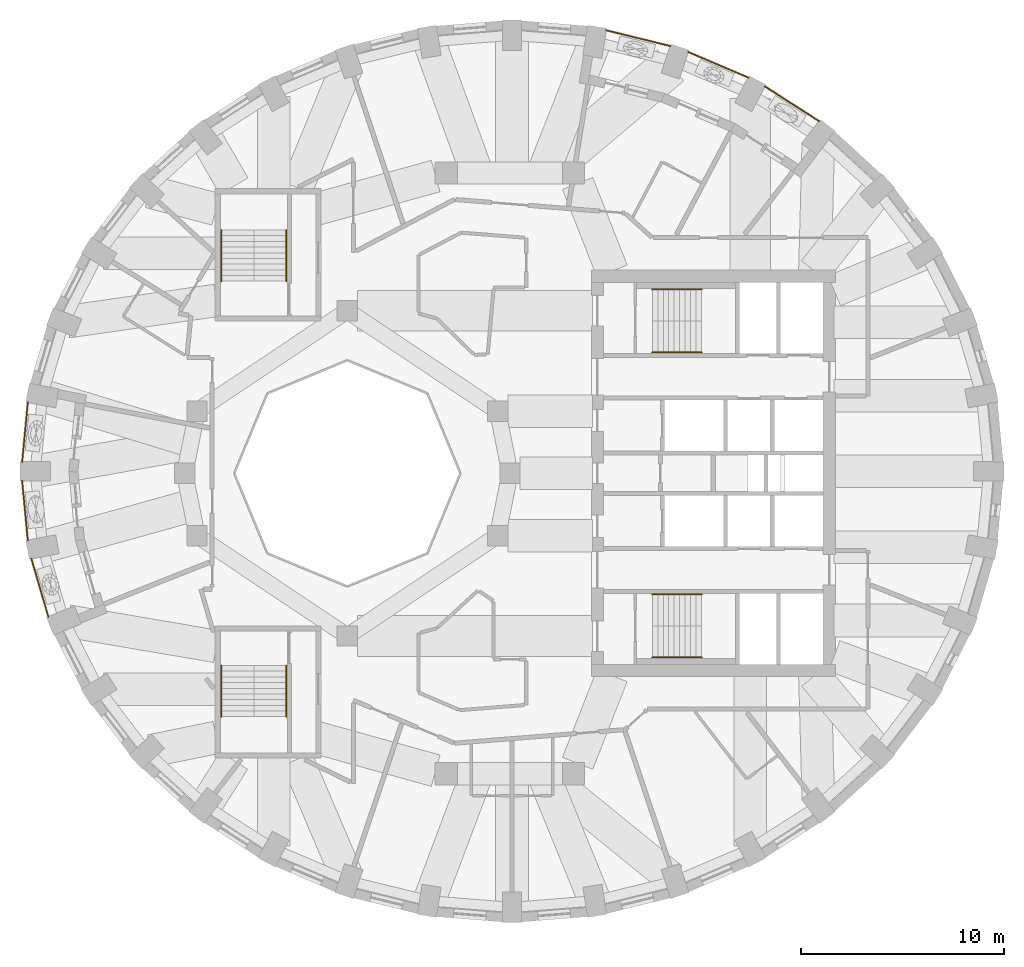
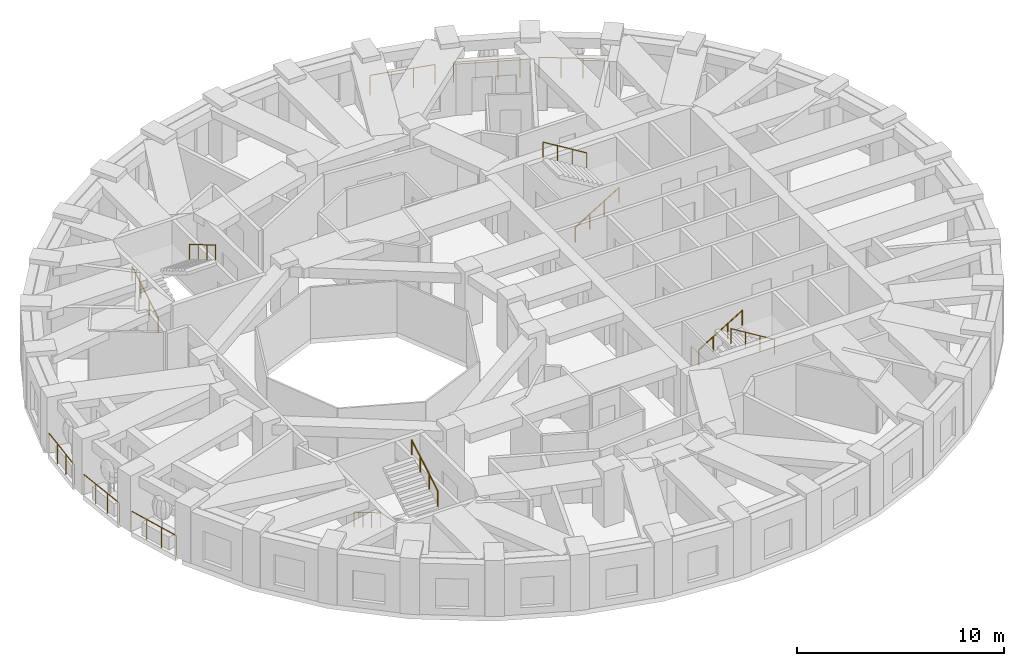
# One storey, part 10 of 12: 14 railings.
"""IFC4 building model written with IfcOpenShell, lengths in metres."""

import ifcopenshell
import ifcopenshell.guid

model = None  # the IFC model being written
_history = None  # IfcOwnerHistory: only IFC2X3 demands one
_inside = {}  # id of a spatial element -> (the spatial element, [elements in it])
_under = {}  # id of a project, library or spatial element -> (it, [spatial elements below it])
_declared = {}  # id of a project -> (the project, [libraries it declares])
_typed = {}  # id of a type object -> (the type object, [elements of that type])
_made_of = {}  # id of a material, layer set ... -> (it, [elements and type objects made of it])


def new_model(schema):
    """Start an empty IFC model of exactly this schema.

    Asked for "IFC4X3", IfcOpenShell would pick the latest addendum, in which some entities
    have other attributes; the version numbers below select the first issue.
    IFC2X3 requires an IfcOwnerHistory on every rooted entity: one is made here for all.
    """
    global model, _history
    if schema == "IFC4X3":
        model = ifcopenshell.file(schema_version=(4, 3, 0, 0))
    else:
        model = ifcopenshell.file(schema=schema)
    _inside.clear()
    _under.clear()
    _declared.clear()
    _typed.clear()
    _made_of.clear()
    _history = None
    if model.schema == "IFC2X3":
        org = make("IfcOrganization", Name="unknown")
        user = make(
            "IfcPersonAndOrganization",
            ThePerson=make("IfcPerson", FamilyName="unknown"),
            TheOrganization=org,
        )
        app = make(
            "IfcApplication",
            ApplicationDeveloper=org,
            Version="unknown",
            ApplicationFullName="unknown",
            ApplicationIdentifier="unknown",
        )
        _history = make(
            "IfcOwnerHistory",
            OwningUser=user,
            OwningApplication=app,
            ChangeAction="ADDED",
            CreationDate=0,
        )
    return model


def make(cls, **values):
    """One entity of the class cls with the attributes given. An attribute that is None is left unset."""
    return model.create_entity(
        cls, **{name: value for name, value in values.items() if value is not None}
    )


def rooted(cls, **values):
    """An entity with a GlobalId (a new one), such as an element, a storey or a relation."""
    return make(cls, GlobalId=ifcopenshell.guid.new(), OwnerHistory=_history, **values)


def si_unit(unit_type, name, prefix=None):
    """IfcSIUnit, for example si_unit("LENGTHUNIT", "METRE", prefix="MILLI")."""
    return make("IfcSIUnit", UnitType=unit_type, Prefix=prefix, Name=name)


def assignment(units):
    """IfcUnitAssignment: the units of a project."""
    return None if units is None else make("IfcUnitAssignment", Units=units)


def point(xyz):
    """IfcCartesianPoint."""
    return None if xyz is None else make("IfcCartesianPoint", Coordinates=xyz)


def direction(xyz):
    """IfcDirection."""
    return None if xyz is None else make("IfcDirection", DirectionRatios=xyz)


def frame(location, z_axis=None, x_axis=None):
    """IfcAxis2Placement3D, a coordinate frame: its origin and axes. An axis left out is left unset."""
    return make(
        "IfcAxis2Placement3D",
        Location=point(location),
        Axis=direction(z_axis),
        RefDirection=direction(x_axis),
    )


def frame_2d(location, x_axis=None):
    """IfcAxis2Placement2D, a coordinate frame in the plane: its origin and x axis."""
    return make(
        "IfcAxis2Placement2D", Location=point(location), RefDirection=direction(x_axis)
    )


def origin():
    """The frame at (0, 0, 0) with its axes left unset."""
    return frame((0.0, 0.0, 0.0))


def origin_2d():
    """The frame at (0, 0) in the plane with its x axis left unset."""
    return frame_2d((0.0, 0.0))


def place(relative_to, where):
    """IfcLocalPlacement: puts the frame where relative to a parent placement (None: the world)."""
    return make(
        "IfcLocalPlacement", PlacementRelTo=relative_to, RelativePlacement=where
    )


def context(
    kind, dimensions, precision=None, world=None, true_north=None, identifier=None
):
    """IfcGeometricRepresentationContext, for example the 3D "Model" context."""
    return make(
        "IfcGeometricRepresentationContext",
        ContextIdentifier=identifier,
        ContextType=kind,
        CoordinateSpaceDimension=dimensions,
        Precision=precision,
        WorldCoordinateSystem=world,
        TrueNorth=true_north,
    )


def subcontext(parent, identifier, kind, view, scale=None):
    """IfcGeometricRepresentationSubContext, for example "Body" below "Model"."""
    return make(
        "IfcGeometricRepresentationSubContext",
        ContextIdentifier=identifier,
        ContextType=kind,
        ParentContext=parent,
        TargetScale=scale,
        TargetView=view,
    )


def project(units=None, contexts=None):
    """IfcProject with its units and contexts."""
    return rooted(
        "IfcProject",
        Name="project",
        RepresentationContexts=contexts,
        UnitsInContext=assignment(units),
    )


def spatial(cls, under=None, at=None, **own):
    """A site, building, storey or space (cls), placed at a placement, below another one or the project."""
    s = rooted(cls, ObjectPlacement=at, **own)
    if under is not None:
        _under.setdefault(under.id(), (under, []))[1].append(s)
    return s


def profile(cls, at=None, kind="AREA", **sizes):
    """A parametric profile (cls). Its sizes go by their IFC names, for example OverallWidth=200.0."""
    return make(cls, ProfileType=kind, Position=at, **sizes)


def circle(**sizes):
    """IfcCircleProfileDef."""
    return profile("IfcCircleProfileDef", **sizes)


def extrude(swept, where, along, depth):
    """IfcExtrudedAreaSolid: the profile swept, set in the frame where, extruded along a direction by depth."""
    return make(
        "IfcExtrudedAreaSolid",
        SweptArea=swept,
        Position=where,
        ExtrudedDirection=direction(along),
        Depth=depth,
    )


def shape(context_of_items, identifier, shape_type, items):
    """IfcShapeRepresentation: the items that make up one representation, for example the "Body"."""
    return make(
        "IfcShapeRepresentation",
        ContextOfItems=context_of_items,
        RepresentationIdentifier=identifier,
        RepresentationType=shape_type,
        Items=items,
    )


def material(Name=None, Category=None):
    """IfcMaterial."""
    return make("IfcMaterial", Name=Name, Category=Category)


def made_of(thing, what):
    """Note that an element or type object is made of a material, layer set ...; save() writes the relation."""
    if what is not None:
        _made_of.setdefault(what.id(), (what, []))[1].append(thing)
    return thing


def type_object(cls, material=None, **own):
    """A type object (cls), such as IfcWallType, which elements share."""
    return made_of(rooted(cls, **own), material)


def element(
    cls,
    number,
    at=None,
    inside=None,
    cuts=None,
    type_object=None,
    material=None,
    context=None,
    identifier="Body",
    shape_type=None,
    held_by="IfcProductDefinitionShape",
    body=None,
    shapes=None,
    **own,
):
    """One element of the class cls, such as IfcWall. Its Tag is "e" and its number.

    at: its placement. inside: the storey or other place that contains it. cuts: it is an
    opening in that element (IfcRelVoidsElement). A single representation is given by context,
    identifier, shape_type and body (its items); several are given by shapes. held_by: the class
    of the entity that holds the representations. save() writes the other relations.
    """
    e = rooted(cls, Tag="e%d" % number, ObjectPlacement=at, **own)
    if body is not None:
        shapes = [shape(context, identifier, shape_type, body)]
    if shapes is not None:
        e.Representation = make(held_by, Representations=shapes)
    if inside is not None:
        _inside.setdefault(inside.id(), (inside, []))[1].append(e)
    if cuts is not None:
        rooted(
            "IfcRelVoidsElement", RelatingBuildingElement=cuts, RelatedOpeningElement=e
        )
    if type_object is not None:
        _typed.setdefault(type_object.id(), (type_object, []))[1].append(e)
    return made_of(e, material)


def aggregate(whole, parts):
    """IfcRelAggregates: a whole, such as a stair, and the parts it consists of."""
    return rooted("IfcRelAggregates", RelatingObject=whole, RelatedObjects=parts)


def save(model, path):
    """Write the relations noted so far, then the file.

    IfcRelAggregates (storeys below a building ...), IfcRelContainedInSpatialStructure (elements
    in a storey), IfcRelDefinesByType, IfcRelAssociatesMaterial and IfcRelDeclares: one each for
    every whole, place, type object, material and project.
    """
    for whole, parts in _under.values():
        aggregate(whole, parts)
    for where, things in _inside.values():
        rooted(
            "IfcRelContainedInSpatialStructure",
            RelatedElements=things,
            RelatingStructure=where,
        )
    for kind, things in _typed.values():
        rooted("IfcRelDefinesByType", RelatedObjects=things, RelatingType=kind)
    for what, things in _made_of.values():
        rooted("IfcRelAssociatesMaterial", RelatedObjects=things, RelatingMaterial=what)
    for by, libraries in _declared.values():
        rooted("IfcRelDeclares", RelatingContext=by, RelatedDefinitions=libraries)
    model.write(path)


model = new_model("IFC4")

# Units and contexts
model_context = context("Model", 3, precision=1e-05, world=origin(), true_north=direction((0.0, 1.0)))
body_context = subcontext(model_context, "Body", "Model", "MODEL_VIEW")
ifc_project = project(units=[si_unit("LENGTHUNIT", "METRE"), si_unit("AREAUNIT", "SQUARE_METRE"), si_unit("VOLUMEUNIT", "CUBIC_METRE"), si_unit("PLANEANGLEUNIT", "RADIAN"), si_unit("MASSUNIT", "GRAM", prefix="KILO")], contexts=[model_context])

# Site, building, storey
site_placement = place(None, origin())
site = spatial("IfcSite", under=ifc_project, at=site_placement, CompositionType="ELEMENT")
building_placement = place(site_placement, origin())
building = spatial("IfcBuilding", under=site, at=building_placement, Name="Taillehof Tower", CompositionType="ELEMENT")
storey_placement = place(building_placement, frame((0.0, 0.0, 151.699951171875)))
storey = spatial("IfcBuildingStorey", under=building, at=storey_placement, Name="L42", CompositionType="ELEMENT", Elevation=151.699951171875)

# Railings
ifc_material_1 = material(Name="Stainless steel balustrade", Category="steel")
railing_type_1 = type_object("IfcRailingType", Name="Balcony guard 1200", PredefinedType="GUARDRAIL", material=ifc_material_1)
railing_1_placement = place(storey_placement, frame((-23.714599609375, 3.5, 0.0)))
element("IfcRailing", 1, at=railing_1_placement, inside=storey, type_object=railing_type_1, Name="Balcony guard L42 bay 18", PredefinedType="GUARDRAIL", context=body_context, shape_type="SweptSolid", body=[
    extrude(circle(Radius=0.02392578125, at=origin_2d()), frame((0.0, 0.0, 1.17578125), z_axis=(-0.095155707846, -0.995462400729, 0.0), x_axis=(0.995462400729, -0.095155707846, 0.0)), (0.0, 0.0, 1.0), 2.958251953125),
    extrude(circle(Radius=0.02099609375, at=origin_2d()), origin(), (0.0, 0.0, 1.0), 1.15185546875),
    extrude(circle(Radius=0.02099609375, at=origin_2d()), frame((-0.09375, -0.981689453125, 0.0)), (0.0, 0.0, 1.0), 1.15185546875),
    extrude(circle(Radius=0.02099609375, at=origin_2d()), frame((-0.187744140625, -1.963134765625, 0.0)), (0.0, 0.0, 1.0), 1.15185546875),
    extrude(circle(Radius=0.02099609375, at=origin_2d()), frame((-0.281494140625, -2.94482421875, 0.0)), (0.0, 0.0, 1.0), 1.15185546875),
])
railing_2_placement = place(storey_placement, frame((-23.99609375, -0.35498046875, 0.0)))
element("IfcRailing", 2, at=railing_2_placement, inside=storey, type_object=railing_type_1, Name="Balcony guard L42 bay 19", PredefinedType="GUARDRAIL", context=body_context, shape_type="SweptSolid", body=[
    extrude(circle(Radius=0.02392578125, at=origin_2d()), frame((0.0, 0.0, 1.17578125), z_axis=(0.095155707846, -0.995462400729, 0.0), x_axis=(0.995462400729, 0.095155707846, 0.0)), (0.0, 0.0, 1.0), 2.958251953125),
    extrude(circle(Radius=0.02099609375, at=origin_2d()), origin(), (0.0, 0.0, 1.0), 1.15185546875),
    extrude(circle(Radius=0.02099609375, at=origin_2d()), frame((0.09375, -0.981689453125, 0.0)), (0.0, 0.0, 1.0), 1.15185546875),
    extrude(circle(Radius=0.02099609375, at=origin_2d()), frame((0.187744140625, -1.963134765625, 0.0)), (0.0, 0.0, 1.0), 1.15185546875),
    extrude(circle(Radius=0.02099609375, at=origin_2d()), frame((0.281494140625, -2.94482421875, 0.0)), (0.0, 0.0, 1.0), 1.15185546875),
])
railing_3_placement = place(storey_placement, frame((-23.54248046875, -4.193603515625, 0.0)))
element("IfcRailing", 3, at=railing_3_placement, inside=storey, type_object=railing_type_1, Name="Balcony guard L42 bay 20", PredefinedType="GUARDRAIL", context=body_context, shape_type="SweptSolid", body=[
    extrude(circle(Radius=0.02392578125, at=origin_2d()), frame((0.0, 0.0, 1.17578125), z_axis=(0.281070006833, -0.959687267426, 0.0), x_axis=(0.959687267426, 0.281070006833, 0.0)), (0.0, 0.0, 1.0), 2.978515625),
    extrude(circle(Radius=0.02099609375, at=origin_2d()), origin(), (0.0, 0.0, 1.0), 1.15185546875),
    extrude(circle(Radius=0.02099609375, at=origin_2d()), frame((0.279052734375, -0.952880859375, 0.0)), (0.0, 0.0, 1.0), 1.15185546875),
    extrude(circle(Radius=0.02099609375, at=origin_2d()), frame((0.55810546875, -1.905517578125, 0.0)), (0.0, 0.0, 1.0), 1.15185546875),
    extrude(circle(Radius=0.02099609375, at=origin_2d()), frame((0.837158203125, -2.8583984375, 0.0)), (0.0, 0.0, 1.0), 1.15185546875),
])
railing_4_placement = place(storey_placement, frame((15.20947265625, 17.32470703125, 0.0)))
element("IfcRailing", 4, at=railing_4_placement, inside=storey, type_object=railing_type_1, Name="Balcony guard L42 bay 6", PredefinedType="GUARDRAIL", context=body_context, shape_type="SweptSolid", body=[
    extrude(circle(Radius=0.02392578125, at=origin_2d()), frame((0.0, 0.0, 1.17578125), z_axis=(-0.842048180821, 0.539402318475, 0.0), x_axis=(-0.539402318475, -0.842048180821, 0.0)), (0.0, 0.0, 1.0), 3.17919921875),
    extrude(circle(Radius=0.02099609375, at=origin_2d()), origin(), (0.0, 0.0, 1.0), 1.15185546875),
    extrude(circle(Radius=0.02099609375, at=origin_2d()), frame((-0.892333984375, 0.571533203125, 0.0)), (0.0, 0.0, 1.0), 1.15185546875),
    extrude(circle(Radius=0.02099609375, at=origin_2d()), frame((-1.78466796875, 1.143310546875, 0.0)), (0.0, 0.0, 1.0), 1.15185546875),
    extrude(circle(Radius=0.02099609375, at=origin_2d()), frame((-2.677001953125, 1.71484375, 0.0)), (0.0, 0.0, 1.0), 1.15185546875),
])
railing_5_placement = place(storey_placement, frame((11.727783203125, 19.465087890625, 0.0)))
element("IfcRailing", 5, at=railing_5_placement, inside=storey, type_object=railing_type_1, Name="Balcony guard L42 bay 7", PredefinedType="GUARDRAIL", context=body_context, shape_type="SweptSolid", body=[
    extrude(circle(Radius=0.02392578125, at=origin_2d()), frame((0.0, 0.0, 1.17578125), z_axis=(-0.919824392668, 0.39233032849, 0.0), x_axis=(-0.39233032849, -0.919824392668, 0.0)), (0.0, 0.0, 1.0), 3.227783203125),
    extrude(circle(Radius=0.02099609375, at=origin_2d()), origin(), (0.0, 0.0, 1.0), 1.15185546875),
    extrude(circle(Radius=0.02099609375, at=origin_2d()), frame((-0.98974609375, 0.422119140625, 0.0)), (0.0, 0.0, 1.0), 1.15185546875),
    extrude(circle(Radius=0.02099609375, at=origin_2d()), frame((-1.979248046875, 0.84423828125, 0.0)), (0.0, 0.0, 1.0), 1.15185546875),
    extrude(circle(Radius=0.02099609375, at=origin_2d()), frame((-2.968994140625, 1.266357421875, 0.0)), (0.0, 0.0, 1.0), 1.15185546875),
])
railing_6_placement = place(storey_placement, frame((7.895263671875, 21.019287109375, 0.0)))
element("IfcRailing", 6, at=railing_6_placement, inside=storey, type_object=railing_type_1, Name="Balcony guard L42 bay 8", PredefinedType="GUARDRAIL", context=body_context, shape_type="SweptSolid", body=[
    extrude(circle(Radius=0.02392578125, at=origin_2d()), frame((0.0, 0.0, 1.17578125), z_axis=(-0.971236963408, 0.238115016139, 0.0), x_axis=(-0.238115016139, -0.971236963408, 0.0)), (0.0, 0.0, 1.0), 3.263427734375),
    extrude(circle(Radius=0.02099609375, at=origin_2d()), origin(), (0.0, 0.0, 1.0), 1.15185546875),
    extrude(circle(Radius=0.02099609375, at=origin_2d()), frame((-1.056640625, 0.259033203125, 0.0)), (0.0, 0.0, 1.0), 1.15185546875),
    extrude(circle(Radius=0.02099609375, at=origin_2d()), frame((-2.113037109375, 0.51806640625, 0.0)), (0.0, 0.0, 1.0), 1.15185546875),
    extrude(circle(Radius=0.02099609375, at=origin_2d()), frame((-3.169677734375, 0.777099609375, 0.0)), (0.0, 0.0, 1.0), 1.15185546875),
])
ifc_material_2 = material(Name="Stainless steel", Category="steel")
railing_type_2 = type_object("IfcRailingType", Name="Stair handrail 900", PredefinedType="HANDRAIL", material=ifc_material_2)
railing_7_placement = place(storey_placement, frame((7.0, 5.949951171875, 0.1650390625)))
element("IfcRailing", 7, at=railing_7_placement, inside=storey, type_object=railing_type_2, Name="Stair S1 handrail", PredefinedType="HANDRAIL", context=body_context, shape_type="SweptSolid", body=[
    extrude(circle(Radius=0.02392578125, at=origin_2d()), frame((0.0, 0.0, 0.8759765625), z_axis=(0.853258522278, 0.0, 0.521488153423), x_axis=(0.0, 1.0, 0.0)), (0.0, 0.0, 1.0), 2.847900390625),
    extrude(circle(Radius=0.02099609375, at=origin_2d()), origin(), (0.0, 0.0, 1.0), 0.851806640625),
    extrude(circle(Radius=0.02099609375, at=origin_2d()), frame((0.81005859375, 0.0, 0.4951171875)), (0.0, 0.0, 1.0), 0.851806640625),
    extrude(circle(Radius=0.02099609375, at=origin_2d()), frame((1.619873046875, 0.0, 0.989990234375)), (0.0, 0.0, 1.0), 0.851806640625),
    extrude(circle(Radius=0.02099609375, at=origin_2d()), frame((2.429931640625, 0.0, 1.485107421875)), (0.0, 0.0, 1.0), 0.851806640625),
])
railing_8_placement = place(storey_placement, frame((9.429931640625, 9.050048828125, 1.81494140625)))
element("IfcRailing", 8, at=railing_8_placement, inside=storey, type_object=railing_type_2, Name="Stair S1 handrail", PredefinedType="HANDRAIL", context=body_context, shape_type="SweptSolid", body=[
    extrude(circle(Radius=0.02392578125, at=origin_2d()), frame((0.0, 0.0, 0.8759765625), z_axis=(-0.853258522278, 0.0, 0.521488153423), x_axis=(0.0, -1.0, 0.0)), (0.0, 0.0, 1.0), 2.847900390625),
    extrude(circle(Radius=0.02099609375, at=origin_2d()), origin(), (0.0, 0.0, 1.0), 0.851806640625),
    extrude(circle(Radius=0.02099609375, at=origin_2d()), frame((-0.81005859375, 0.0, 0.4951171875)), (0.0, 0.0, 1.0), 0.851806640625),
    extrude(circle(Radius=0.02099609375, at=origin_2d()), frame((-1.619873046875, 0.0, 0.989990234375)), (0.0, 0.0, 1.0), 0.851806640625),
    extrude(circle(Radius=0.02099609375, at=origin_2d()), frame((-2.429931640625, 0.0, 1.485107421875)), (0.0, 0.0, 1.0), 0.851806640625),
])
railing_9_placement = place(storey_placement, frame((7.0, -5.949951171875, 0.1650390625)))
element("IfcRailing", 9, at=railing_9_placement, inside=storey, type_object=railing_type_2, Name="Stair S2 handrail", PredefinedType="HANDRAIL", context=body_context, shape_type="SweptSolid", body=[
    extrude(circle(Radius=0.02392578125, at=origin_2d()), frame((0.0, 0.0, 0.8759765625), z_axis=(0.853258522278, 0.0, 0.521488153423), x_axis=(0.0, 1.0, 0.0)), (0.0, 0.0, 1.0), 2.847900390625),
    extrude(circle(Radius=0.02099609375, at=origin_2d()), origin(), (0.0, 0.0, 1.0), 0.851806640625),
    extrude(circle(Radius=0.02099609375, at=origin_2d()), frame((0.81005859375, 0.0, 0.4951171875)), (0.0, 0.0, 1.0), 0.851806640625),
    extrude(circle(Radius=0.02099609375, at=origin_2d()), frame((1.619873046875, 0.0, 0.989990234375)), (0.0, 0.0, 1.0), 0.851806640625),
    extrude(circle(Radius=0.02099609375, at=origin_2d()), frame((2.429931640625, 0.0, 1.485107421875)), (0.0, 0.0, 1.0), 0.851806640625),
])
railing_10_placement = place(storey_placement, frame((9.429931640625, -9.050048828125, 1.81494140625)))
element("IfcRailing", 10, at=railing_10_placement, inside=storey, type_object=railing_type_2, Name="Stair S2 handrail", PredefinedType="HANDRAIL", context=body_context, shape_type="SweptSolid", body=[
    extrude(circle(Radius=0.02392578125, at=origin_2d()), frame((0.0, 0.0, 0.8759765625), z_axis=(-0.853258522278, 0.0, 0.521488153423), x_axis=(0.0, -1.0, 0.0)), (0.0, 0.0, 1.0), 2.847900390625),
    extrude(circle(Radius=0.02099609375, at=origin_2d()), origin(), (0.0, 0.0, 1.0), 0.851806640625),
    extrude(circle(Radius=0.02099609375, at=origin_2d()), frame((-0.81005859375, 0.0, 0.4951171875)), (0.0, 0.0, 1.0), 0.851806640625),
    extrude(circle(Radius=0.02099609375, at=origin_2d()), frame((-1.619873046875, 0.0, 0.989990234375)), (0.0, 0.0, 1.0), 0.851806640625),
    extrude(circle(Radius=0.02099609375, at=origin_2d()), frame((-2.429931640625, 0.0, 1.485107421875)), (0.0, 0.0, 1.0), 0.851806640625),
])
railing_11_placement = place(storey_placement, frame((-14.199951171875, 9.449951171875, 0.1650390625)))
element("IfcRailing", 11, at=railing_11_placement, inside=storey, type_object=railing_type_2, Name="Stair S3 handrail", PredefinedType="HANDRAIL", context=body_context, shape_type="SweptSolid", body=[
    extrude(circle(Radius=0.02392578125, at=origin_2d()), frame((0.0, 0.0, 0.8759765625), z_axis=(0.0, 0.86152411907, 0.507716645641), x_axis=(-1.0, 0.0, 0.0)), (0.0, 0.0, 1.0), 2.925048828125),
    extrude(circle(Radius=0.02099609375, at=origin_2d()), origin(), (0.0, 0.0, 1.0), 0.851806640625),
    extrude(circle(Radius=0.02099609375, at=origin_2d()), frame((0.0, 0.840087890625, 0.4951171875)), (0.0, 0.0, 1.0), 0.851806640625),
    extrude(circle(Radius=0.02099609375, at=origin_2d()), frame((0.0, 1.679931640625, 0.989990234375)), (0.0, 0.0, 1.0), 0.851806640625),
    extrude(circle(Radius=0.02099609375, at=origin_2d()), frame((0.0, 2.52001953125, 1.485107421875)), (0.0, 0.0, 1.0), 0.851806640625),
])
for number, where, name in (
    (12, (-11.0, 11.969970703125, 1.81494140625), "Stair S3 handrail"),
    (13, (-14.199951171875, -9.449951171875, 0.1650390625), "Stair S4 handrail"),
):
    element("IfcRailing", number, at=place(storey_placement, frame(where)), inside=storey, type_object=railing_type_2, Name=name, PredefinedType="HANDRAIL", context=body_context, shape_type="SweptSolid", body=[
        extrude(circle(Radius=0.02392578125, at=origin_2d()), frame((0.0, 0.0, 0.8759765625), z_axis=(0.0, -0.86152411907, 0.507716645641), x_axis=(1.0, 0.0, 0.0)), (0.0, 0.0, 1.0), 2.925048828125),
        extrude(circle(Radius=0.02099609375, at=origin_2d()), origin(), (0.0, 0.0, 1.0), 0.851806640625),
        extrude(circle(Radius=0.02099609375, at=origin_2d()), frame((0.0, -0.840087890625, 0.4951171875)), (0.0, 0.0, 1.0), 0.851806640625),
        extrude(circle(Radius=0.02099609375, at=origin_2d()), frame((0.0, -1.679931640625, 0.989990234375)), (0.0, 0.0, 1.0), 0.851806640625),
        extrude(circle(Radius=0.02099609375, at=origin_2d()), frame((0.0, -2.52001953125, 1.485107421875)), (0.0, 0.0, 1.0), 0.851806640625),
    ])
railing_12_placement = place(storey_placement, frame((-11.0, -11.969970703125, 1.81494140625)))
element("IfcRailing", 14, at=railing_12_placement, inside=storey, type_object=railing_type_2, Name="Stair S4 handrail", PredefinedType="HANDRAIL", context=body_context, shape_type="SweptSolid", body=[
    extrude(circle(Radius=0.02392578125, at=origin_2d()), frame((0.0, 0.0, 0.8759765625), z_axis=(0.0, 0.86152411907, 0.507716645641), x_axis=(-1.0, 0.0, 0.0)), (0.0, 0.0, 1.0), 2.925048828125),
    extrude(circle(Radius=0.02099609375, at=origin_2d()), origin(), (0.0, 0.0, 1.0), 0.851806640625),
    extrude(circle(Radius=0.02099609375, at=origin_2d()), frame((0.0, 0.840087890625, 0.4951171875)), (0.0, 0.0, 1.0), 0.851806640625),
    extrude(circle(Radius=0.02099609375, at=origin_2d()), frame((0.0, 1.679931640625, 0.989990234375)), (0.0, 0.0, 1.0), 0.851806640625),
    extrude(circle(Radius=0.02099609375, at=origin_2d()), frame((0.0, 2.52001953125, 1.485107421875)), (0.0, 0.0, 1.0), 0.851806640625),
])

save(model, "model.ifc")
